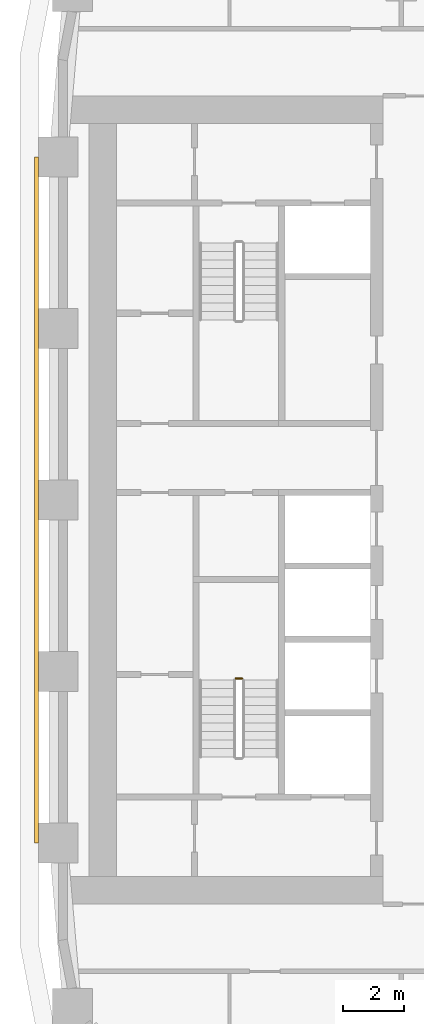
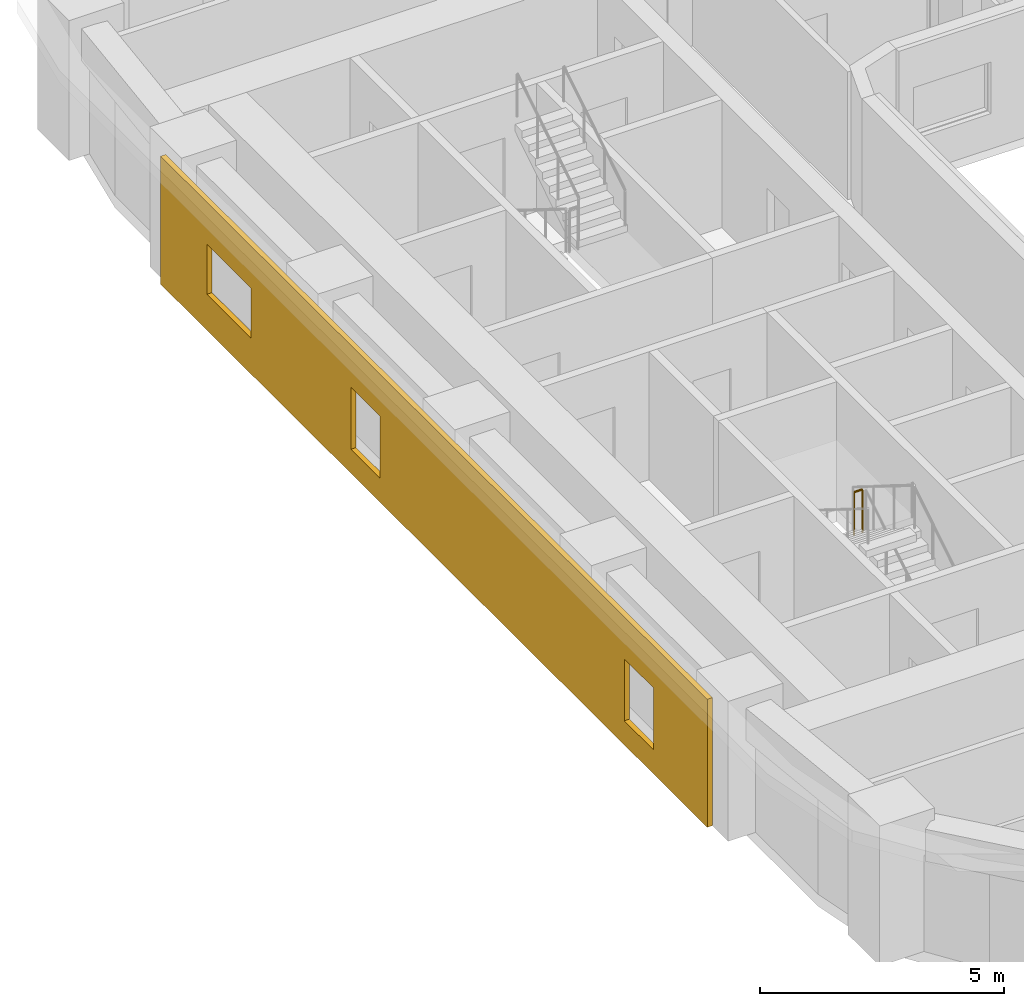
# One storey, part 13 of 21: 1 covering, 1 railing.
"""IFC4 building model written with IfcOpenShell, lengths in metres."""

import ifcopenshell
import ifcopenshell.guid

model = None  # the IFC model being written
_history = None  # IfcOwnerHistory: only IFC2X3 demands one
_inside = {}  # id of a spatial element -> (the spatial element, [elements in it])
_under = {}  # id of a project, library or spatial element -> (it, [spatial elements below it])
_declared = {}  # id of a project -> (the project, [libraries it declares])
_typed = {}  # id of a type object -> (the type object, [elements of that type])
_made_of = {}  # id of a material, layer set ... -> (it, [elements and type objects made of it])


def new_model(schema):
    """Start an empty IFC model of exactly this schema.

    Asked for "IFC4X3", IfcOpenShell would pick the latest addendum, in which some entities
    have other attributes; the version numbers below select the first issue.
    IFC2X3 requires an IfcOwnerHistory on every rooted entity: one is made here for all.
    """
    global model, _history
    if schema == "IFC4X3":
        model = ifcopenshell.file(schema_version=(4, 3, 0, 0))
    else:
        model = ifcopenshell.file(schema=schema)
    _inside.clear()
    _under.clear()
    _declared.clear()
    _typed.clear()
    _made_of.clear()
    _history = None
    if model.schema == "IFC2X3":
        org = make("IfcOrganization", Name="unknown")
        user = make(
            "IfcPersonAndOrganization",
            ThePerson=make("IfcPerson", FamilyName="unknown"),
            TheOrganization=org,
        )
        app = make(
            "IfcApplication",
            ApplicationDeveloper=org,
            Version="unknown",
            ApplicationFullName="unknown",
            ApplicationIdentifier="unknown",
        )
        _history = make(
            "IfcOwnerHistory",
            OwningUser=user,
            OwningApplication=app,
            ChangeAction="ADDED",
            CreationDate=0,
        )
    return model


def make(cls, **values):
    """One entity of the class cls with the attributes given. An attribute that is None is left unset."""
    return model.create_entity(
        cls, **{name: value for name, value in values.items() if value is not None}
    )


def rooted(cls, **values):
    """An entity with a GlobalId (a new one), such as an element, a storey or a relation."""
    return make(cls, GlobalId=ifcopenshell.guid.new(), OwnerHistory=_history, **values)


def si_unit(unit_type, name, prefix=None):
    """IfcSIUnit, for example si_unit("LENGTHUNIT", "METRE", prefix="MILLI")."""
    return make("IfcSIUnit", UnitType=unit_type, Prefix=prefix, Name=name)


def assignment(units):
    """IfcUnitAssignment: the units of a project."""
    return None if units is None else make("IfcUnitAssignment", Units=units)


def point(xyz):
    """IfcCartesianPoint."""
    return None if xyz is None else make("IfcCartesianPoint", Coordinates=xyz)


def direction(xyz):
    """IfcDirection."""
    return None if xyz is None else make("IfcDirection", DirectionRatios=xyz)


def frame(location, z_axis=None, x_axis=None):
    """IfcAxis2Placement3D, a coordinate frame: its origin and axes. An axis left out is left unset."""
    return make(
        "IfcAxis2Placement3D",
        Location=point(location),
        Axis=direction(z_axis),
        RefDirection=direction(x_axis),
    )


def frame_2d(location, x_axis=None):
    """IfcAxis2Placement2D, a coordinate frame in the plane: its origin and x axis."""
    return make(
        "IfcAxis2Placement2D", Location=point(location), RefDirection=direction(x_axis)
    )


def origin():
    """The frame at (0, 0, 0) with its axes left unset."""
    return frame((0.0, 0.0, 0.0))


def origin_2d():
    """The frame at (0, 0) in the plane with its x axis left unset."""
    return frame_2d((0.0, 0.0))


def place(relative_to, where):
    """IfcLocalPlacement: puts the frame where relative to a parent placement (None: the world)."""
    return make(
        "IfcLocalPlacement", PlacementRelTo=relative_to, RelativePlacement=where
    )


def context(
    kind, dimensions, precision=None, world=None, true_north=None, identifier=None
):
    """IfcGeometricRepresentationContext, for example the 3D "Model" context."""
    return make(
        "IfcGeometricRepresentationContext",
        ContextIdentifier=identifier,
        ContextType=kind,
        CoordinateSpaceDimension=dimensions,
        Precision=precision,
        WorldCoordinateSystem=world,
        TrueNorth=true_north,
    )


def subcontext(parent, identifier, kind, view, scale=None):
    """IfcGeometricRepresentationSubContext, for example "Body" below "Model"."""
    return make(
        "IfcGeometricRepresentationSubContext",
        ContextIdentifier=identifier,
        ContextType=kind,
        ParentContext=parent,
        TargetScale=scale,
        TargetView=view,
    )


def project(units=None, contexts=None):
    """IfcProject with its units and contexts."""
    return rooted(
        "IfcProject",
        Name="project",
        RepresentationContexts=contexts,
        UnitsInContext=assignment(units),
    )


def spatial(cls, under=None, at=None, **own):
    """A site, building, storey or space (cls), placed at a placement, below another one or the project."""
    s = rooted(cls, ObjectPlacement=at, **own)
    if under is not None:
        _under.setdefault(under.id(), (under, []))[1].append(s)
    return s


def polyline(points):
    """IfcPolyline through the points."""
    return make("IfcPolyline", Points=[point(p) for p in points])


def profile(cls, at=None, kind="AREA", **sizes):
    """A parametric profile (cls). Its sizes go by their IFC names, for example OverallWidth=200.0."""
    return make(cls, ProfileType=kind, Position=at, **sizes)


def circle(**sizes):
    """IfcCircleProfileDef."""
    return profile("IfcCircleProfileDef", **sizes)


def outline(outer, holes=None, kind="AREA"):
    """IfcArbitraryClosedProfileDef: a profile drawn as a closed curve; with holes, ...WithVoids."""
    if holes is None:
        return make("IfcArbitraryClosedProfileDef", ProfileType=kind, OuterCurve=outer)
    return make(
        "IfcArbitraryProfileDefWithVoids",
        ProfileType=kind,
        OuterCurve=outer,
        InnerCurves=holes,
    )


def extrude(swept, where, along, depth):
    """IfcExtrudedAreaSolid: the profile swept, set in the frame where, extruded along a direction by depth."""
    return make(
        "IfcExtrudedAreaSolid",
        SweptArea=swept,
        Position=where,
        ExtrudedDirection=direction(along),
        Depth=depth,
    )


def shape(context_of_items, identifier, shape_type, items):
    """IfcShapeRepresentation: the items that make up one representation, for example the "Body"."""
    return make(
        "IfcShapeRepresentation",
        ContextOfItems=context_of_items,
        RepresentationIdentifier=identifier,
        RepresentationType=shape_type,
        Items=items,
    )


def material(Name=None, Category=None):
    """IfcMaterial."""
    return make("IfcMaterial", Name=Name, Category=Category)


def layer(
    of_material, thickness, ventilated=None, Name=None, Category=None, Priority=None
):
    """IfcMaterialLayer: one layer of a wall or slab, of a material (None: an air gap)."""
    return make(
        "IfcMaterialLayer",
        Material=of_material,
        LayerThickness=thickness,
        IsVentilated=ventilated,
        Name=Name,
        Category=Category,
        Priority=Priority,
    )


def layer_set(layers, Name=None):
    """IfcMaterialLayerSet."""
    return make("IfcMaterialLayerSet", MaterialLayers=layers, LayerSetName=Name)


def made_of(thing, what):
    """Note that an element or type object is made of a material, layer set ...; save() writes the relation."""
    if what is not None:
        _made_of.setdefault(what.id(), (what, []))[1].append(thing)
    return thing


def type_object(cls, material=None, **own):
    """A type object (cls), such as IfcWallType, which elements share."""
    return made_of(rooted(cls, **own), material)


def element(
    cls,
    number,
    at=None,
    inside=None,
    cuts=None,
    type_object=None,
    material=None,
    context=None,
    identifier="Body",
    shape_type=None,
    held_by="IfcProductDefinitionShape",
    body=None,
    shapes=None,
    **own,
):
    """One element of the class cls, such as IfcWall. Its Tag is "e" and its number.

    at: its placement. inside: the storey or other place that contains it. cuts: it is an
    opening in that element (IfcRelVoidsElement). A single representation is given by context,
    identifier, shape_type and body (its items); several are given by shapes. held_by: the class
    of the entity that holds the representations. save() writes the other relations.
    """
    e = rooted(cls, Tag="e%d" % number, ObjectPlacement=at, **own)
    if body is not None:
        shapes = [shape(context, identifier, shape_type, body)]
    if shapes is not None:
        e.Representation = make(held_by, Representations=shapes)
    if inside is not None:
        _inside.setdefault(inside.id(), (inside, []))[1].append(e)
    if cuts is not None:
        rooted(
            "IfcRelVoidsElement", RelatingBuildingElement=cuts, RelatedOpeningElement=e
        )
    if type_object is not None:
        _typed.setdefault(type_object.id(), (type_object, []))[1].append(e)
    return made_of(e, material)


def aggregate(whole, parts):
    """IfcRelAggregates: a whole, such as a stair, and the parts it consists of."""
    return rooted("IfcRelAggregates", RelatingObject=whole, RelatedObjects=parts)


def save(model, path):
    """Write the relations noted so far, then the file.

    IfcRelAggregates (storeys below a building ...), IfcRelContainedInSpatialStructure (elements
    in a storey), IfcRelDefinesByType, IfcRelAssociatesMaterial and IfcRelDeclares: one each for
    every whole, place, type object, material and project.
    """
    for whole, parts in _under.values():
        aggregate(whole, parts)
    for where, things in _inside.values():
        rooted(
            "IfcRelContainedInSpatialStructure",
            RelatedElements=things,
            RelatingStructure=where,
        )
    for kind, things in _typed.values():
        rooted("IfcRelDefinesByType", RelatedObjects=things, RelatingType=kind)
    for what, things in _made_of.values():
        rooted("IfcRelAssociatesMaterial", RelatedObjects=things, RelatingMaterial=what)
    for by, libraries in _declared.values():
        rooted("IfcRelDeclares", RelatingContext=by, RelatedDefinitions=libraries)
    model.write(path)


model = new_model("IFC4")

# Units and contexts
model_context = context("Model", 3, precision=1e-05, world=origin(), true_north=direction((0.0, 1.0)))
body_context = subcontext(model_context, "Body", "Model", "MODEL_VIEW")
ifc_project = project(units=[si_unit("LENGTHUNIT", "METRE"), si_unit("AREAUNIT", "SQUARE_METRE"), si_unit("VOLUMEUNIT", "CUBIC_METRE"), si_unit("PLANEANGLEUNIT", "RADIAN"), si_unit("MASSUNIT", "GRAM", prefix="KILO")], contexts=[model_context])

# Site, building, storey
site_placement = place(None, origin())
site = spatial("IfcSite", under=ifc_project, at=site_placement, CompositionType="ELEMENT")
building_placement = place(site_placement, origin())
building = spatial("IfcBuilding", under=site, at=building_placement, Name="Kiln Ring Residences", CompositionType="ELEMENT")
storey_placement = place(building_placement, frame((0.0, 0.0, 93.800048828125)))
storey = spatial("IfcBuildingStorey", under=building, at=storey_placement, Name="L23", CompositionType="ELEMENT", Elevation=93.800048828125)

# Railing
ifc_material_1 = material(Name="Stainless steel", Category="steel")
railing_type = type_object("IfcRailingType", Name="CORE-STAIR-GUARD", PredefinedType="GUARDRAIL", material=ifc_material_1)
railing_placement = place(storey_placement, frame((-22.0, -5.830078125, 1.75)))
element("IfcRailing", 1, at=railing_placement, inside=storey, type_object=railing_type, Name="L23 W-STS stair guard 2", PredefinedType="GUARDRAIL", context=body_context, shape_type="SweptSolid", body=[
    extrude(circle(Radius=0.02392578125, at=origin_2d()), frame((0.0, 0.0, 1.076171875), z_axis=(-1.0, 0.0, 0.0), x_axis=(0.0, -1.0, 0.0)), (0.0, 0.0, 1.0), 0.199951171875),
    extrude(circle(Radius=0.02099609375, at=origin_2d()), origin(), (0.0, 0.0, 1.0), 1.052001953125),
    extrude(circle(Radius=0.02099609375, at=origin_2d()), frame((-0.199951171875, 0.0, 0.0)), (0.0, 0.0, 1.0), 1.052001953125),
])

# Covering
ifc_material_2 = material(Name="Brick masonry, dark clay brick", Category="masonry")
ifc_layer = layer(ifc_material_2, 0.1201171875)
ifc_layer_set = layer_set([ifc_layer], Name="RAINSCREEN PANEL 120")
covering_type = type_object("IfcCoveringType", Name="RAINSCREEN PANEL 120", PredefinedType="CLADDING", material=ifc_layer_set)
covering_placement = place(storey_placement, frame((-28.7099609375, 11.199951171875, 0.0), z_axis=(0.0, 0.0, 1.0), x_axis=(0.0, -1.0, 0.0)))
element("IfcCovering", 2, at=covering_placement, inside=storey, type_object=covering_type, Name="RAINSCREEN L23", PredefinedType="CLADDING", context=body_context, shape_type="SweptSolid", body=[
    extrude(outline(polyline([(0.0, 0.0), (22.39990234375, 0.0), (22.39990234375, 3.199951171875), (0.0, 3.199951171875), (0.0, 0.0)]), holes=[polyline([(9.0, 2.14990234375), (7.800048828125, 2.14990234375), (7.800048828125, 0.599853515625), (9.0, 0.599853515625), (9.0, 2.14990234375)]), polyline([(20.199951171875, 0.599853515625), (20.199951171875, 2.14990234375), (19.0, 2.14990234375), (19.0, 0.599853515625), (20.199951171875, 0.599853515625)]), polyline([(3.699951171875, 0.89990234375), (3.699951171875, 2.14990234375), (1.89990234375, 2.14990234375), (1.89990234375, 0.89990234375), (3.699951171875, 0.89990234375)])]), frame((0.0, 0.06005859375, 0.0), z_axis=(0.0, -1.0, 0.0), x_axis=(1.0, 0.0, 0.0)), (0.0, 0.0, 1.0), 0.1201171875),
])

save(model, "model.ifc")
